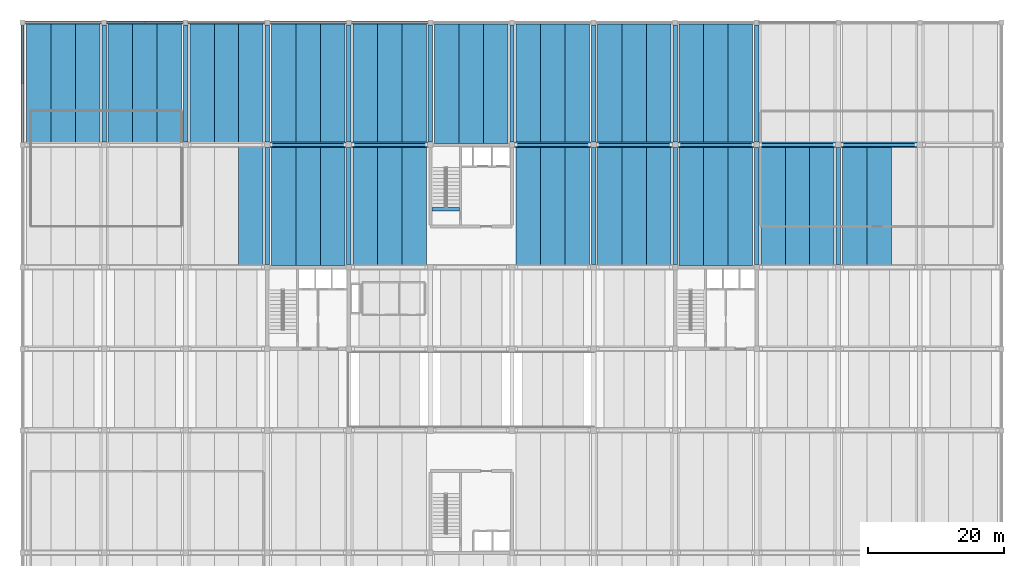
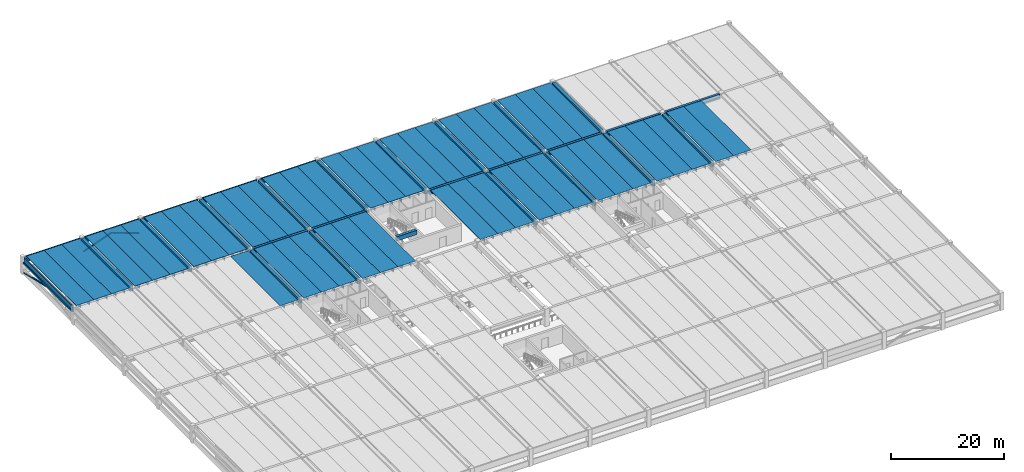
# One storey, part 4 of 16: 77 beams, 3 members.
"""IFC4 building model written with IfcOpenShell, lengths in metres."""

from ifc_helpers import new_model, si_unit, direction, frame, origin, origin_2d, place, context, subcontext, project, spatial, polyline, rectangle, hollow_rectangle, outline, extrude, material, material_profile, profile_set, type_object, element, save


model = new_model("IFC4")

# Units and contexts
model_context = context("Model", 3, precision=1e-05, world=origin(), true_north=direction((0.0, 1.0)))
body_context = subcontext(model_context, "Body", "Model", "MODEL_VIEW")
ifc_project = project(units=[si_unit("LENGTHUNIT", "METRE"), si_unit("AREAUNIT", "SQUARE_METRE"), si_unit("VOLUMEUNIT", "CUBIC_METRE"), si_unit("PLANEANGLEUNIT", "RADIAN"), si_unit("MASSUNIT", "GRAM", prefix="KILO")], contexts=[model_context])

# Site, building, storey
site_placement = place(None, origin())
site = spatial("IfcSite", under=ifc_project, at=site_placement, CompositionType="ELEMENT")
building_placement = place(site_placement, origin())
building = spatial("IfcBuilding", under=site, at=building_placement, Name="Girod Span Mobility Hub", CompositionType="ELEMENT")
storey_placement = place(building_placement, frame((0.0, 0.0, 28.60009765625)))
storey = spatial("IfcBuildingStorey", under=building, at=storey_placement, Name="L07", CompositionType="ELEMENT", Elevation=28.60009765625)

# Beams
ifc_material_1 = material(Name="Concrete C50/60", Category="concrete")
ifc_material_profile_1 = material_profile(ifc_material_1, outline(polyline([(-1.800048828125, 0.425048828125), (-1.800048828125, 0.324951171875), (-1.0, 0.324951171875), (-0.969970703125, -0.425048828125), (-0.830078125, -0.425048828125), (-0.800048828125, 0.324951171875), (0.800048828125, 0.324951171875), (0.830078125, -0.425048828125), (0.969970703125, -0.425048828125), (1.0, 0.324951171875), (1.800048828125, 0.324951171875), (1.800048828125, 0.425048828125), (-1.800048828125, 0.425048828125)])), Name="DT-3600X850")
ifc_profile_set_1 = profile_set([ifc_material_profile_1], Name="Concrete C50/60")
beam_type_1 = type_object("IfcBeamType", Name="BM-DT-3600X850", PredefinedType="JOIST", material=ifc_profile_set_1)
for number, where, z_axis, x_axis, name in (
    (1, (14.39990234375, 87.22705078125, 3.15478515625), (0.0, 1.0, 0.0), (-1.0, 0.0, 0.0), "Double-Tee Deck 2/G-1 L07"),
    (2, (18.0, 87.22705078125, 3.15478515625), (0.0, 1.0, 0.0), (-1.0, 0.0, 0.0), "Double-Tee Deck 2/G-2 L07"),
    (3, (21.60009765625, 87.22705078125, 3.15478515625), (0.0, 1.0, 0.0), (-1.0, 0.0, 0.0), "Double-Tee Deck 2/G-3 L07"),
    (4, (26.39990234375, 87.22705078125, 3.15478515625), (0.0, 1.0, 0.0), (-1.0, 0.0, 0.0), "Double-Tee Deck 3/G-1 L07"),
    (5, (30.0, 87.22705078125, 3.15478515625), (0.0, 1.0, 0.0), (-1.0, 0.0, 0.0), "Double-Tee Deck 3/G-2 L07"),
    (6, (33.60009765625, 87.22705078125, 3.15478515625), (0.0, 1.0, 0.0), (-1.0, 0.0, 0.0), "Double-Tee Deck 3/G-3 L07"),
):
    element("IfcBeam", number, at=place(storey_placement, frame(where, z_axis=z_axis, x_axis=x_axis)), inside=storey, type_object=beam_type_1, Name=name, PredefinedType="JOIST", context=body_context, shape_type="SweptSolid", body=[
        extrude(outline(polyline([(-1.800048828125, 0.425048828125), (-1.800048828125, 0.324951171875), (-1.0, 0.324951171875), (-0.969970703125, -0.425048828125), (-0.830078125, -0.425048828125), (-0.800048828125, 0.324951171875), (0.800048828125, 0.324951171875), (0.830078125, -0.425048828125), (0.969970703125, -0.425048828125), (1.0, 0.324951171875), (1.800048828125, 0.324951171875), (1.800048828125, 0.425048828125), (-1.800048828125, 0.425048828125)])), origin(), (0.0, 0.0, 1.0), 17.575927734375),
    ])
beam_1_placement = place(storey_placement, frame((45.60009765625, 69.22705078125, 3.099853515625), z_axis=(0.0, 1.0, 0.0), x_axis=(-1.0, 0.0, 0.0)))
element("IfcBeam", 7, at=beam_1_placement, inside=storey, type_object=beam_type_1, Name="Double-Tee Deck 4/F-3 L07", PredefinedType="JOIST", context=body_context, shape_type="SweptSolid", body=[
    extrude(outline(polyline([(-1.800048828125, 0.425048828125), (-1.800048828125, 0.324951171875), (-1.0, 0.324951171875), (-0.969970703125, -0.425048828125), (-0.830078125, -0.425048828125), (-0.800048828125, 0.324951171875), (0.800048828125, 0.324951171875), (0.830078125, -0.425048828125), (0.969970703125, -0.425048828125), (1.0, 0.324951171875), (1.800048828125, 0.324951171875), (1.800048828125, 0.425048828125), (-1.800048828125, 0.425048828125)])), origin(), (0.0, 0.0, 1.0), 17.5458984375),
])
for number, where, z_axis, x_axis, name in (
    (8, (38.39990234375, 87.22705078125, 3.15478515625), (0.0, 1.0, 0.0), (-1.0, 0.0, 0.0), "Double-Tee Deck 4/G-1 L07"),
    (9, (42.0, 87.22705078125, 3.15478515625), (0.0, 1.0, 0.0), (-1.0, 0.0, 0.0), "Double-Tee Deck 4/G-2 L07"),
    (10, (45.60009765625, 87.22705078125, 3.15478515625), (0.0, 1.0, 0.0), (-1.0, 0.0, 0.0), "Double-Tee Deck 4/G-3 L07"),
):
    element("IfcBeam", number, at=place(storey_placement, frame(where, z_axis=z_axis, x_axis=x_axis)), inside=storey, type_object=beam_type_1, Name=name, PredefinedType="JOIST", context=body_context, shape_type="SweptSolid", body=[
        extrude(outline(polyline([(-1.800048828125, 0.425048828125), (-1.800048828125, 0.324951171875), (-1.0, 0.324951171875), (-0.969970703125, -0.425048828125), (-0.830078125, -0.425048828125), (-0.800048828125, 0.324951171875), (0.800048828125, 0.324951171875), (0.830078125, -0.425048828125), (0.969970703125, -0.425048828125), (1.0, 0.324951171875), (1.800048828125, 0.324951171875), (1.800048828125, 0.425048828125), (-1.800048828125, 0.425048828125)])), origin(), (0.0, 0.0, 1.0), 17.575927734375),
    ])
for number, where, z_axis, x_axis, name in (
    (11, (50.39990234375, 69.2470703125, 3.099853515625), (0.0, 1.0, 0.0), (-1.0, 0.0, 0.0), "Double-Tee Deck 5/F-1 L07"),
    (12, (54.0, 69.2470703125, 3.099853515625), (0.0, 1.0, 0.0), (-1.0, 0.0, 0.0), "Double-Tee Deck 5/F-2 L07"),
    (13, (57.60009765625, 69.2470703125, 3.099853515625), (0.0, 1.0, 0.0), (-1.0, 0.0, 0.0), "Double-Tee Deck 5/F-3 L07"),
):
    element("IfcBeam", number, at=place(storey_placement, frame(where, z_axis=z_axis, x_axis=x_axis)), inside=storey, type_object=beam_type_1, Name=name, PredefinedType="JOIST", context=body_context, shape_type="SweptSolid", body=[
        extrude(outline(polyline([(-1.800048828125, 0.425048828125), (-1.800048828125, 0.324951171875), (-1.0, 0.324951171875), (-0.969970703125, -0.425048828125), (-0.830078125, -0.425048828125), (-0.800048828125, 0.324951171875), (0.800048828125, 0.324951171875), (0.830078125, -0.425048828125), (0.969970703125, -0.425048828125), (1.0, 0.324951171875), (1.800048828125, 0.324951171875), (1.800048828125, 0.425048828125), (-1.800048828125, 0.425048828125)])), origin(), (0.0, 0.0, 1.0), 17.52587890625),
    ])
for number, where, z_axis, x_axis, name in (
    (14, (50.39990234375, 87.22705078125, 3.15478515625), (0.0, 1.0, 0.0), (-1.0, 0.0, 0.0), "Double-Tee Deck 5/G-1 L07"),
    (15, (54.0, 87.22705078125, 3.15478515625), (0.0, 1.0, 0.0), (-1.0, 0.0, 0.0), "Double-Tee Deck 5/G-2 L07"),
    (16, (57.60009765625, 87.22705078125, 3.15478515625), (0.0, 1.0, 0.0), (-1.0, 0.0, 0.0), "Double-Tee Deck 5/G-3 L07"),
):
    element("IfcBeam", number, at=place(storey_placement, frame(where, z_axis=z_axis, x_axis=x_axis)), inside=storey, type_object=beam_type_1, Name=name, PredefinedType="JOIST", context=body_context, shape_type="SweptSolid", body=[
        extrude(outline(polyline([(-1.800048828125, 0.425048828125), (-1.800048828125, 0.324951171875), (-1.0, 0.324951171875), (-0.969970703125, -0.425048828125), (-0.830078125, -0.425048828125), (-0.800048828125, 0.324951171875), (0.800048828125, 0.324951171875), (0.830078125, -0.425048828125), (0.969970703125, -0.425048828125), (1.0, 0.324951171875), (1.800048828125, 0.324951171875), (1.800048828125, 0.425048828125), (-1.800048828125, 0.425048828125)])), origin(), (0.0, 0.0, 1.0), 17.575927734375),
    ])
for number, where, z_axis, x_axis, name in (
    (17, (62.39990234375, 69.22705078125, 3.099853515625), (0.0, 1.0, 0.0), (-1.0, 0.0, 0.0), "Double-Tee Deck 6/F-1 L07"),
    (18, (66.0, 69.22705078125, 3.099853515625), (0.0, 1.0, 0.0), (-1.0, 0.0, 0.0), "Double-Tee Deck 6/F-2 L07"),
    (19, (69.60009765625, 69.22705078125, 3.099853515625), (0.0, 1.0, 0.0), (-1.0, 0.0, 0.0), "Double-Tee Deck 6/F-3 L07"),
):
    element("IfcBeam", number, at=place(storey_placement, frame(where, z_axis=z_axis, x_axis=x_axis)), inside=storey, type_object=beam_type_1, Name=name, PredefinedType="JOIST", context=body_context, shape_type="SweptSolid", body=[
        extrude(outline(polyline([(-1.800048828125, 0.425048828125), (-1.800048828125, 0.324951171875), (-1.0, 0.324951171875), (-0.969970703125, -0.425048828125), (-0.830078125, -0.425048828125), (-0.800048828125, 0.324951171875), (0.800048828125, 0.324951171875), (0.830078125, -0.425048828125), (0.969970703125, -0.425048828125), (1.0, 0.324951171875), (1.800048828125, 0.324951171875), (1.800048828125, 0.425048828125), (-1.800048828125, 0.425048828125)])), origin(), (0.0, 0.0, 1.0), 17.5458984375),
    ])
for number, where, z_axis, x_axis, name in (
    (20, (62.39990234375, 87.22705078125, 3.15478515625), (0.0, 1.0, 0.0), (-1.0, 0.0, 0.0), "Double-Tee Deck 6/G-1 L07"),
    (21, (66.0, 87.22705078125, 3.15478515625), (0.0, 1.0, 0.0), (-1.0, 0.0, 0.0), "Double-Tee Deck 6/G-2 L07"),
    (22, (69.60009765625, 87.22705078125, 3.15478515625), (0.0, 1.0, 0.0), (-1.0, 0.0, 0.0), "Double-Tee Deck 6/G-3 L07"),
):
    element("IfcBeam", number, at=place(storey_placement, frame(where, z_axis=z_axis, x_axis=x_axis)), inside=storey, type_object=beam_type_1, Name=name, PredefinedType="JOIST", context=body_context, shape_type="SweptSolid", body=[
        extrude(outline(polyline([(-1.800048828125, 0.425048828125), (-1.800048828125, 0.324951171875), (-1.0, 0.324951171875), (-0.969970703125, -0.425048828125), (-0.830078125, -0.425048828125), (-0.800048828125, 0.324951171875), (0.800048828125, 0.324951171875), (0.830078125, -0.425048828125), (0.969970703125, -0.425048828125), (1.0, 0.324951171875), (1.800048828125, 0.324951171875), (1.800048828125, 0.425048828125), (-1.800048828125, 0.425048828125)])), origin(), (0.0, 0.0, 1.0), 17.575927734375),
    ])
for number, where, z_axis, x_axis, name in (
    (23, (74.39990234375, 87.221923828125, 3.15478515625), (0.0, 1.0, 0.0), (-1.0, 0.0, 0.0), "Double-Tee Deck 7/G-1 L07"),
    (24, (78.0, 87.221923828125, 3.15478515625), (0.0, 1.0, 0.0), (-1.0, 0.0, 0.0), "Double-Tee Deck 7/G-2 L07"),
    (25, (81.60009765625, 87.221923828125, 3.15478515625), (0.0, 1.0, 0.0), (-1.0, 0.0, 0.0), "Double-Tee Deck 7/G-3 L07"),
):
    element("IfcBeam", number, at=place(storey_placement, frame(where, z_axis=z_axis, x_axis=x_axis)), inside=storey, type_object=beam_type_1, Name=name, PredefinedType="JOIST", context=body_context, shape_type="SweptSolid", body=[
        extrude(outline(polyline([(-1.800048828125, 0.425048828125), (-1.800048828125, 0.324951171875), (-1.0, 0.324951171875), (-0.969970703125, -0.425048828125), (-0.830078125, -0.425048828125), (-0.800048828125, 0.324951171875), (0.800048828125, 0.324951171875), (0.830078125, -0.425048828125), (0.969970703125, -0.425048828125), (1.0, 0.324951171875), (1.800048828125, 0.324951171875), (1.800048828125, 0.425048828125), (-1.800048828125, 0.425048828125)])), origin(), (0.0, 0.0, 1.0), 17.5810546875),
    ])
for number, where, z_axis, x_axis, name in (
    (26, (86.39990234375, 69.22705078125, 3.099853515625), (0.0, 1.0, 0.0), (-1.0, 0.0, 0.0), "Double-Tee Deck 8/F-1 L07"),
    (27, (90.0, 69.22705078125, 3.099853515625), (0.0, 1.0, 0.0), (-1.0, 0.0, 0.0), "Double-Tee Deck 8/F-2 L07"),
    (28, (93.60009765625, 69.22705078125, 3.099853515625), (0.0, 1.0, 0.0), (-1.0, 0.0, 0.0), "Double-Tee Deck 8/F-3 L07"),
):
    element("IfcBeam", number, at=place(storey_placement, frame(where, z_axis=z_axis, x_axis=x_axis)), inside=storey, type_object=beam_type_1, Name=name, PredefinedType="JOIST", context=body_context, shape_type="SweptSolid", body=[
        extrude(outline(polyline([(-1.800048828125, 0.425048828125), (-1.800048828125, 0.324951171875), (-1.0, 0.324951171875), (-0.969970703125, -0.425048828125), (-0.830078125, -0.425048828125), (-0.800048828125, 0.324951171875), (0.800048828125, 0.324951171875), (0.830078125, -0.425048828125), (0.969970703125, -0.425048828125), (1.0, 0.324951171875), (1.800048828125, 0.324951171875), (1.800048828125, 0.425048828125), (-1.800048828125, 0.425048828125)])), origin(), (0.0, 0.0, 1.0), 17.5458984375),
    ])
for number, where, z_axis, x_axis, name in (
    (29, (86.39990234375, 87.22705078125, 3.15478515625), (0.0, 1.0, 0.0), (-1.0, 0.0, 0.0), "Double-Tee Deck 8/G-1 L07"),
    (30, (90.0, 87.22705078125, 3.15478515625), (0.0, 1.0, 0.0), (-1.0, 0.0, 0.0), "Double-Tee Deck 8/G-2 L07"),
    (31, (93.60009765625, 87.22705078125, 3.15478515625), (0.0, 1.0, 0.0), (-1.0, 0.0, 0.0), "Double-Tee Deck 8/G-3 L07"),
):
    element("IfcBeam", number, at=place(storey_placement, frame(where, z_axis=z_axis, x_axis=x_axis)), inside=storey, type_object=beam_type_1, Name=name, PredefinedType="JOIST", context=body_context, shape_type="SweptSolid", body=[
        extrude(outline(polyline([(-1.800048828125, 0.425048828125), (-1.800048828125, 0.324951171875), (-1.0, 0.324951171875), (-0.969970703125, -0.425048828125), (-0.830078125, -0.425048828125), (-0.800048828125, 0.324951171875), (0.800048828125, 0.324951171875), (0.830078125, -0.425048828125), (0.969970703125, -0.425048828125), (1.0, 0.324951171875), (1.800048828125, 0.324951171875), (1.800048828125, 0.425048828125), (-1.800048828125, 0.425048828125)])), origin(), (0.0, 0.0, 1.0), 17.575927734375),
    ])
for number, where, z_axis, x_axis, name in (
    (32, (98.39990234375, 69.22705078125, 3.099853515625), (0.0, 1.0, 0.0), (-1.0, 0.0, 0.0), "Double-Tee Deck 9/F-1 L07"),
    (33, (102.0, 69.22705078125, 3.099853515625), (0.0, 1.0, 0.0), (-1.0, 0.0, 0.0), "Double-Tee Deck 9/F-2 L07"),
    (34, (105.60009765625, 69.22705078125, 3.099853515625), (0.0, 1.0, 0.0), (-1.0, 0.0, 0.0), "Double-Tee Deck 9/F-3 L07"),
):
    element("IfcBeam", number, at=place(storey_placement, frame(where, z_axis=z_axis, x_axis=x_axis)), inside=storey, type_object=beam_type_1, Name=name, PredefinedType="JOIST", context=body_context, shape_type="SweptSolid", body=[
        extrude(outline(polyline([(-1.800048828125, 0.425048828125), (-1.800048828125, 0.324951171875), (-1.0, 0.324951171875), (-0.969970703125, -0.425048828125), (-0.830078125, -0.425048828125), (-0.800048828125, 0.324951171875), (0.800048828125, 0.324951171875), (0.830078125, -0.425048828125), (0.969970703125, -0.425048828125), (1.0, 0.324951171875), (1.800048828125, 0.324951171875), (1.800048828125, 0.425048828125), (-1.800048828125, 0.425048828125)])), origin(), (0.0, 0.0, 1.0), 17.5458984375),
    ])
for number, where, z_axis, x_axis, name in (
    (35, (98.39990234375, 87.22705078125, 3.15478515625), (0.0, 1.0, 0.0), (-1.0, 0.0, 0.0), "Double-Tee Deck 9/G-1 L07"),
    (36, (102.0, 87.22705078125, 3.15478515625), (0.0, 1.0, 0.0), (-1.0, 0.0, 0.0), "Double-Tee Deck 9/G-2 L07"),
    (37, (105.60009765625, 87.22705078125, 3.15478515625), (0.0, 1.0, 0.0), (-1.0, 0.0, 0.0), "Double-Tee Deck 9/G-3 L07"),
):
    element("IfcBeam", number, at=place(storey_placement, frame(where, z_axis=z_axis, x_axis=x_axis)), inside=storey, type_object=beam_type_1, Name=name, PredefinedType="JOIST", context=body_context, shape_type="SweptSolid", body=[
        extrude(outline(polyline([(-1.800048828125, 0.425048828125), (-1.800048828125, 0.324951171875), (-1.0, 0.324951171875), (-0.969970703125, -0.425048828125), (-0.830078125, -0.425048828125), (-0.800048828125, 0.324951171875), (0.800048828125, 0.324951171875), (0.830078125, -0.425048828125), (0.969970703125, -0.425048828125), (1.0, 0.324951171875), (1.800048828125, 0.324951171875), (1.800048828125, 0.425048828125), (-1.800048828125, 0.425048828125)])), origin(), (0.0, 0.0, 1.0), 17.575927734375),
    ])
for number, where, z_axis, x_axis, name in (
    (38, (110.39990234375, 69.2470703125, 3.099853515625), (0.0, 1.0, 0.0), (-1.0, 0.0, 0.0), "Double-Tee Deck 10/F-1 L07"),
    (39, (114.0, 69.2470703125, 3.099853515625), (0.0, 1.0, 0.0), (-1.0, 0.0, 0.0), "Double-Tee Deck 10/F-2 L07"),
    (40, (117.60009765625, 69.2470703125, 3.099853515625), (0.0, 1.0, 0.0), (-1.0, 0.0, 0.0), "Double-Tee Deck 10/F-3 L07"),
):
    element("IfcBeam", number, at=place(storey_placement, frame(where, z_axis=z_axis, x_axis=x_axis)), inside=storey, type_object=beam_type_1, Name=name, PredefinedType="JOIST", context=body_context, shape_type="SweptSolid", body=[
        extrude(outline(polyline([(-1.800048828125, 0.425048828125), (-1.800048828125, 0.324951171875), (-1.0, 0.324951171875), (-0.969970703125, -0.425048828125), (-0.830078125, -0.425048828125), (-0.800048828125, 0.324951171875), (0.800048828125, 0.324951171875), (0.830078125, -0.425048828125), (0.969970703125, -0.425048828125), (1.0, 0.324951171875), (1.800048828125, 0.324951171875), (1.800048828125, 0.425048828125), (-1.800048828125, 0.425048828125)])), origin(), (0.0, 0.0, 1.0), 17.52587890625),
    ])
for number, where, z_axis, x_axis, name in (
    (41, (110.39990234375, 87.22705078125, 3.15478515625), (0.0, 1.0, 0.0), (-1.0, 0.0, 0.0), "Double-Tee Deck 10/G-1 L07"),
    (42, (114.0, 87.22705078125, 3.15478515625), (0.0, 1.0, 0.0), (-1.0, 0.0, 0.0), "Double-Tee Deck 10/G-2 L07"),
    (43, (117.60009765625, 87.22705078125, 3.15478515625), (0.0, 1.0, 0.0), (-1.0, 0.0, 0.0), "Double-Tee Deck 10/G-3 L07"),
):
    element("IfcBeam", number, at=place(storey_placement, frame(where, z_axis=z_axis, x_axis=x_axis)), inside=storey, type_object=beam_type_1, Name=name, PredefinedType="JOIST", context=body_context, shape_type="SweptSolid", body=[
        extrude(outline(polyline([(-1.800048828125, 0.425048828125), (-1.800048828125, 0.324951171875), (-1.0, 0.324951171875), (-0.969970703125, -0.425048828125), (-0.830078125, -0.425048828125), (-0.800048828125, 0.324951171875), (0.800048828125, 0.324951171875), (0.830078125, -0.425048828125), (0.969970703125, -0.425048828125), (1.0, 0.324951171875), (1.800048828125, 0.324951171875), (1.800048828125, 0.425048828125), (-1.800048828125, 0.425048828125)])), origin(), (0.0, 0.0, 1.0), 17.575927734375),
    ])
for number, where, z_axis, x_axis, name in (
    (44, (122.39990234375, 69.22705078125, 3.099853515625), (0.0, 1.0, 0.0), (-1.0, 0.0, 0.0), "Double-Tee Deck 11/F-1 L07"),
    (45, (126.0, 69.22705078125, 3.099853515625), (0.0, 1.0, 0.0), (-1.0, 0.0, 0.0), "Double-Tee Deck 11/F-2 L07"),
    (46, (129.60009765625, 69.22705078125, 3.099853515625), (0.0, 1.0, 0.0), (-1.0, 0.0, 0.0), "Double-Tee Deck 11/F-3 L07"),
    (47, (134.39990234375, 69.22705078125, 3.099853515625), (0.0, 1.0, 0.0), (-1.0, 0.0, 0.0), "Double-Tee Deck 12/F-1 L07"),
    (48, (138.0, 69.22705078125, 3.099853515625), (0.0, 1.0, 0.0), (-1.0, 0.0, 0.0), "Double-Tee Deck 12/F-2 L07"),
):
    element("IfcBeam", number, at=place(storey_placement, frame(where, z_axis=z_axis, x_axis=x_axis)), inside=storey, type_object=beam_type_1, Name=name, PredefinedType="JOIST", context=body_context, shape_type="SweptSolid", body=[
        extrude(outline(polyline([(-1.800048828125, 0.425048828125), (-1.800048828125, 0.324951171875), (-1.0, 0.324951171875), (-0.969970703125, -0.425048828125), (-0.830078125, -0.425048828125), (-0.800048828125, 0.324951171875), (0.800048828125, 0.324951171875), (0.830078125, -0.425048828125), (0.969970703125, -0.425048828125), (1.0, 0.324951171875), (1.800048828125, 0.324951171875), (1.800048828125, 0.425048828125), (-1.800048828125, 0.425048828125)])), origin(), (0.0, 0.0, 1.0), 17.5458984375),
    ])
ifc_material_2 = material(Name="Concrete C50/60", Category="concrete")
ifc_material_profile_2 = material_profile(ifc_material_2, outline(polyline([(-0.39990234375, -0.449951171875), (0.39990234375, -0.449951171875), (0.39990234375, -0.14990234375), (0.22998046875, -0.14990234375), (0.22998046875, 0.449951171875), (-0.22998046875, 0.449951171875), (-0.22998046875, -0.14990234375), (-0.39990234375, -0.14990234375), (-0.39990234375, -0.449951171875)])), Name="IT-800X900")
ifc_profile_set_2 = profile_set([ifc_material_profile_2], Name="Concrete C50/60")
beam_type_2 = type_object("IfcBeamType", Name="BM-IT-800X900", PredefinedType="T_BEAM", material=ifc_profile_set_2)
for number, where, z_axis, x_axis, name in (
    (49, (48.39697265625, 87.0, 3.099853515625), (1.0, 0.0, 0.0), (0.0, 1.0, 0.0), "Girder 5-6/G L07"),
    (50, (60.39697265625, 87.0, 3.099853515625), (1.0, 0.0, 0.0), (0.0, 1.0, 0.0), "Girder 6-7/G L07"),
    (51, (84.39697265625, 87.0, 3.099853515625), (1.0, 0.0, 0.0), (0.0, 1.0, 0.0), "Girder 8-9/G L07"),
    (52, (96.39697265625, 87.0, 3.099853515625), (1.0, 0.0, 0.0), (0.0, 1.0, 0.0), "Girder 9-10/G L07"),
    (53, (108.39697265625, 87.0, 3.099853515625), (1.0, 0.0, 0.0), (0.0, 1.0, 0.0), "Girder 10-11/G L07"),
    (54, (120.39697265625, 87.0, 3.099853515625), (1.0, 0.0, 0.0), (0.0, 1.0, 0.0), "Girder 11-12/G L07"),
    (55, (132.39697265625, 87.0, 3.099853515625), (1.0, 0.0, 0.0), (0.0, 1.0, 0.0), "Girder 12-13/G L07"),
):
    element("IfcBeam", number, at=place(storey_placement, frame(where, z_axis=z_axis, x_axis=x_axis)), inside=storey, type_object=beam_type_2, Name=name, PredefinedType="T_BEAM", context=body_context, shape_type="SweptSolid", body=[
        extrude(outline(polyline([(-0.39990234375, -0.449951171875), (0.39990234375, -0.449951171875), (0.39990234375, -0.14990234375), (0.22998046875, -0.14990234375), (0.22998046875, 0.449951171875), (-0.22998046875, 0.449951171875), (-0.22998046875, -0.14990234375), (-0.39990234375, -0.14990234375), (-0.39990234375, -0.449951171875)])), origin(), (0.0, 0.0, 1.0), 11.2060546875),
    ])
ifc_material_3 = material(Name="Concrete C40/50", Category="concrete")
ifc_material_profile_3 = material_profile(ifc_material_3, rectangle(XDim=0.550048828125, YDim=0.949951171875, at=origin_2d()), Name="RK-550X950")
ifc_profile_set_3 = profile_set([ifc_material_profile_3], Name="Concrete C40/50")
beam_type_3 = type_object("IfcBeamType", Name="BM-RK-550X950", PredefinedType="BEAM", material=ifc_profile_set_3)
beam_2_placement = place(storey_placement, frame((72.221923828125, 77.550048828125, 3.074951171875), z_axis=(1.0, 0.0, 0.0), x_axis=(0.0, 1.0, 0.0)))
element("IfcBeam", 56, at=beam_2_placement, inside=storey, type_object=beam_type_3, Name="Stair ST-4 Landing Header Beam L07", PredefinedType="BEAM", context=body_context, shape_type="SweptSolid", body=[
    extrude(rectangle(XDim=0.550048828125, YDim=0.949951171875, at=origin_2d()), origin(), (0.0, 0.0, 1.0), 4.0810546875),
])
ifc_material_4 = material(Name="Concrete C40/50", Category="concrete")
ifc_material_profile_4 = material_profile(ifc_material_4, outline(polyline([(-0.199951171875, -0.625), (0.199951171875, -0.625), (0.199951171875, -0.304931640625), (0.02001953125, -0.304931640625), (0.02001953125, 0.625), (-0.199951171875, 0.625), (-0.199951171875, -0.625)])), Name="SP-400X1250")
ifc_profile_set_4 = profile_set([ifc_material_profile_4], Name="Concrete C40/50")
beam_type_4 = type_object("IfcBeamType", Name="BM-SP-400X1250", PredefinedType="SPANDREL", material=ifc_profile_set_4)
for number, where, z_axis, x_axis, name in (
    (57, (12.3720703125, 105.0, 2.954833984375), (1.0, 0.0, 0.0), (0.0, 1.0, 0.0), "Girder 2-3/H L07"),
    (58, (24.3720703125, 105.0, 2.954833984375), (1.0, 0.0, 0.0), (0.0, 1.0, 0.0), "Girder 3-4/H L07"),
    (59, (36.3720703125, 105.0, 2.954833984375), (1.0, 0.0, 0.0), (0.0, 1.0, 0.0), "Girder 4-5/H L07"),
    (60, (48.3720703125, 105.0, 2.954833984375), (1.0, 0.0, 0.0), (0.0, 1.0, 0.0), "Girder 5-6/H L07"),
    (61, (60.3720703125, 105.0, 2.954833984375), (1.0, 0.0, 0.0), (0.0, 1.0, 0.0), "Girder 6-7/H L07"),
):
    element("IfcBeam", number, at=place(storey_placement, frame(where, z_axis=z_axis, x_axis=x_axis)), inside=storey, type_object=beam_type_4, Name=name, PredefinedType="SPANDREL", context=body_context, shape_type="SweptSolid", body=[
        extrude(outline(polyline([(-0.199951171875, -0.625), (0.199951171875, -0.625), (0.199951171875, -0.304931640625), (0.02001953125, -0.304931640625), (0.02001953125, 0.625), (-0.199951171875, 0.625), (-0.199951171875, -0.625)])), origin(), (0.0, 0.0, 1.0), 11.255859375),
    ])
beam_3_placement = place(storey_placement, frame((12.0, 87.3720703125, 2.954833984375), z_axis=(0.0, 1.0, 0.0), x_axis=(-1.0, 0.0, 0.0)))
element("IfcBeam", 62, at=beam_3_placement, inside=storey, type_object=beam_type_4, Name="Tie Girder 2/G-H L07", PredefinedType="SPANDREL", context=body_context, shape_type="SweptSolid", body=[
    extrude(outline(polyline([(-0.199951171875, -0.625), (0.199951171875, -0.625), (0.199951171875, -0.304931640625), (0.02001953125, -0.304931640625), (0.02001953125, 0.625), (-0.199951171875, 0.625), (-0.199951171875, -0.625)])), origin(), (0.0, 0.0, 1.0), 17.255859375),
])
ifc_material_5 = material(Name="Concrete C40/50", Category="concrete")
ifc_material_profile_5 = material_profile(ifc_material_5, rectangle(XDim=0.64990234375, YDim=1.0, at=origin_2d()), Name="TG-650X1000")
ifc_profile_set_5 = profile_set([ifc_material_profile_5], Name="Concrete C40/50")
beam_type_5 = type_object("IfcBeamType", Name="BM-TG-650X1000", PredefinedType="T_BEAM", material=ifc_profile_set_5)
for number, where, z_axis, x_axis, name in (
    (63, (24.0, 87.39697265625, 3.079833984375), (0.0, 1.0, 0.0), (-1.0, 0.0, 0.0), "Tie Girder 3/G-H L07"),
    (64, (36.0, 87.39697265625, 3.079833984375), (0.0, 1.0, 0.0), (-1.0, 0.0, 0.0), "Tie Girder 4/G-H L07"),
):
    element("IfcBeam", number, at=place(storey_placement, frame(where, z_axis=z_axis, x_axis=x_axis)), inside=storey, type_object=beam_type_5, Name=name, PredefinedType="T_BEAM", context=body_context, shape_type="SweptSolid", body=[
        extrude(rectangle(XDim=0.64990234375, YDim=1.0, at=origin_2d()), origin(), (0.0, 0.0, 1.0), 17.23095703125),
    ])
beam_4_placement = place(storey_placement, frame((48.0, 69.422119140625, 3.02490234375), z_axis=(0.0, 1.0, 0.0), x_axis=(-1.0, 0.0, 0.0)))
element("IfcBeam", 65, at=beam_4_placement, inside=storey, type_object=beam_type_5, Name="Tie Girder 5/F-G L07", PredefinedType="T_BEAM", context=body_context, shape_type="SweptSolid", body=[
    extrude(rectangle(XDim=0.64990234375, YDim=1.0, at=origin_2d()), origin(), (0.0, 0.0, 1.0), 17.180908203125),
])
beam_5_placement = place(storey_placement, frame((48.0, 87.39697265625, 3.079833984375), z_axis=(0.0, 1.0, 0.0), x_axis=(-1.0, 0.0, 0.0)))
element("IfcBeam", 66, at=beam_5_placement, inside=storey, type_object=beam_type_5, Name="Tie Girder 5/G-H L07", PredefinedType="T_BEAM", context=body_context, shape_type="SweptSolid", body=[
    extrude(rectangle(XDim=0.64990234375, YDim=1.0, at=origin_2d()), origin(), (0.0, 0.0, 1.0), 17.23095703125),
])
beam_6_placement = place(storey_placement, frame((60.0, 69.422119140625, 3.02490234375), z_axis=(0.0, 1.0, 0.0), x_axis=(-1.0, 0.0, 0.0)))
element("IfcBeam", 67, at=beam_6_placement, inside=storey, type_object=beam_type_5, Name="Tie Girder 6/F-G L07", PredefinedType="T_BEAM", context=body_context, shape_type="SweptSolid", body=[
    extrude(rectangle(XDim=0.64990234375, YDim=1.0, at=origin_2d()), origin(), (0.0, 0.0, 1.0), 17.180908203125),
])
for number, where, z_axis, x_axis, name in (
    (68, (60.0, 87.39697265625, 3.079833984375), (0.0, 1.0, 0.0), (-1.0, 0.0, 0.0), "Tie Girder 6/G-H L07"),
    (69, (72.0, 87.39697265625, 3.079833984375), (0.0, 1.0, 0.0), (-1.0, 0.0, 0.0), "Tie Girder 7/G-H L07"),
    (70, (84.0, 87.39697265625, 3.079833984375), (0.0, 1.0, 0.0), (-1.0, 0.0, 0.0), "Tie Girder 8/G-H L07"),
):
    element("IfcBeam", number, at=place(storey_placement, frame(where, z_axis=z_axis, x_axis=x_axis)), inside=storey, type_object=beam_type_5, Name=name, PredefinedType="T_BEAM", context=body_context, shape_type="SweptSolid", body=[
        extrude(rectangle(XDim=0.64990234375, YDim=1.0, at=origin_2d()), origin(), (0.0, 0.0, 1.0), 17.23095703125),
    ])
beam_7_placement = place(storey_placement, frame((96.0, 69.422119140625, 3.02490234375), z_axis=(0.0, 1.0, 0.0), x_axis=(-1.0, 0.0, 0.0)))
element("IfcBeam", 71, at=beam_7_placement, inside=storey, type_object=beam_type_5, Name="Tie Girder 9/F-G L07", PredefinedType="T_BEAM", context=body_context, shape_type="SweptSolid", body=[
    extrude(rectangle(XDim=0.64990234375, YDim=1.0, at=origin_2d()), origin(), (0.0, 0.0, 1.0), 17.180908203125),
])
beam_8_placement = place(storey_placement, frame((96.0, 87.39697265625, 3.079833984375), z_axis=(0.0, 1.0, 0.0), x_axis=(-1.0, 0.0, 0.0)))
element("IfcBeam", 72, at=beam_8_placement, inside=storey, type_object=beam_type_5, Name="Tie Girder 9/G-H L07", PredefinedType="T_BEAM", context=body_context, shape_type="SweptSolid", body=[
    extrude(rectangle(XDim=0.64990234375, YDim=1.0, at=origin_2d()), origin(), (0.0, 0.0, 1.0), 17.23095703125),
])
beam_9_placement = place(storey_placement, frame((108.0, 69.422119140625, 3.02490234375), z_axis=(0.0, 1.0, 0.0), x_axis=(-1.0, 0.0, 0.0)))
element("IfcBeam", 73, at=beam_9_placement, inside=storey, type_object=beam_type_5, Name="Tie Girder 10/F-G L07", PredefinedType="T_BEAM", context=body_context, shape_type="SweptSolid", body=[
    extrude(rectangle(XDim=0.64990234375, YDim=1.0, at=origin_2d()), origin(), (0.0, 0.0, 1.0), 17.180908203125),
])
beam_10_placement = place(storey_placement, frame((108.0, 87.39697265625, 3.079833984375), z_axis=(0.0, 1.0, 0.0), x_axis=(-1.0, 0.0, 0.0)))
element("IfcBeam", 74, at=beam_10_placement, inside=storey, type_object=beam_type_5, Name="Tie Girder 10/G-H L07", PredefinedType="T_BEAM", context=body_context, shape_type="SweptSolid", body=[
    extrude(rectangle(XDim=0.64990234375, YDim=1.0, at=origin_2d()), origin(), (0.0, 0.0, 1.0), 17.23095703125),
])
beam_11_placement = place(storey_placement, frame((120.0, 69.422119140625, 3.02490234375), z_axis=(0.0, 1.0, 0.0), x_axis=(-1.0, 0.0, 0.0)))
element("IfcBeam", 75, at=beam_11_placement, inside=storey, type_object=beam_type_5, Name="Tie Girder 11/F-G L07", PredefinedType="T_BEAM", context=body_context, shape_type="SweptSolid", body=[
    extrude(rectangle(XDim=0.64990234375, YDim=1.0, at=origin_2d()), origin(), (0.0, 0.0, 1.0), 17.180908203125),
])
beam_12_placement = place(storey_placement, frame((120.0, 87.39697265625, 3.079833984375), z_axis=(0.0, 1.0, 0.0), x_axis=(-1.0, 0.0, 0.0)))
element("IfcBeam", 76, at=beam_12_placement, inside=storey, type_object=beam_type_5, Name="Tie Girder 11/G-H L07", PredefinedType="T_BEAM", context=body_context, shape_type="SweptSolid", body=[
    extrude(rectangle(XDim=0.64990234375, YDim=1.0, at=origin_2d()), origin(), (0.0, 0.0, 1.0), 17.23095703125),
])
beam_13_placement = place(storey_placement, frame((132.0, 69.39697265625, 3.02490234375), z_axis=(0.0, 1.0, 0.0), x_axis=(-1.0, 0.0, 0.0)))
element("IfcBeam", 77, at=beam_13_placement, inside=storey, type_object=beam_type_5, Name="Tie Girder 12/F-G L07", PredefinedType="T_BEAM", context=body_context, shape_type="SweptSolid", body=[
    extrude(rectangle(XDim=0.64990234375, YDim=1.0, at=origin_2d()), origin(), (0.0, 0.0, 1.0), 17.2060546875),
])

# Members
ifc_material_6 = material(Name="Steel HSS A500 Grade C", Category="steel")
ifc_material_profile_6 = material_profile(ifc_material_6, hollow_rectangle(XDim=0.25390625, YDim=0.25390625, WallThickness=0.01171875, InnerFilletRadius=0.01171875, OuterFilletRadius=0.023681640625, at=origin_2d()), Name="HSS254X254X12.7")
ifc_profile_set_6 = profile_set([ifc_material_profile_6], Name="Steel HSS A500 Grade C")
member_type = type_object("IfcMemberType", Name="MB-BR-HSS254", PredefinedType="BRACE", material=ifc_profile_set_6)
for number, where, z_axis, x_axis, name in (
    (78, (24.35498046875, 105.0, 0.349853515625), (0.939401354378, 0.0, 0.342819333459), (0.0, 1.0, 0.0), "Perimeter Chevron Brace 3/H-L L07"),
    (79, (35.64501953125, 105.0, 0.349853515625), (-0.939401354378, 0.0, 0.342819333459), (0.0, -1.0, 0.0), "Perimeter Chevron Brace 3/H-R L07"),
):
    element("IfcMember", number, at=place(storey_placement, frame(where, z_axis=z_axis, x_axis=x_axis)), inside=storey, type_object=member_type, Name=name, PredefinedType="BRACE", context=body_context, shape_type="SweptSolid", body=[
        extrude(hollow_rectangle(XDim=0.25390625, YDim=0.25390625, WallThickness=0.01171875, InnerFilletRadius=0.01171875, OuterFilletRadius=0.023681640625, at=origin_2d()), origin(), (0.0, 0.0, 1.0), 6.00927734375),
    ])
member_placement = place(storey_placement, frame((12.0, 104.64501953125, 0.349853515625), z_axis=(0.0, -0.972762573306, 0.231803744523), x_axis=(1.0, 0.0, 0.0)))
element("IfcMember", 80, at=member_placement, inside=storey, type_object=member_type, Name="Side Chevron Brace 2/G-N L07", PredefinedType="BRACE", context=body_context, shape_type="SweptSolid", body=[
    extrude(hollow_rectangle(XDim=0.25390625, YDim=0.25390625, WallThickness=0.01171875, InnerFilletRadius=0.01171875, OuterFilletRadius=0.023681640625, at=origin_2d()), origin(), (0.0, 0.0, 1.0), 8.886962890625),
])

save(model, "model.ifc")
